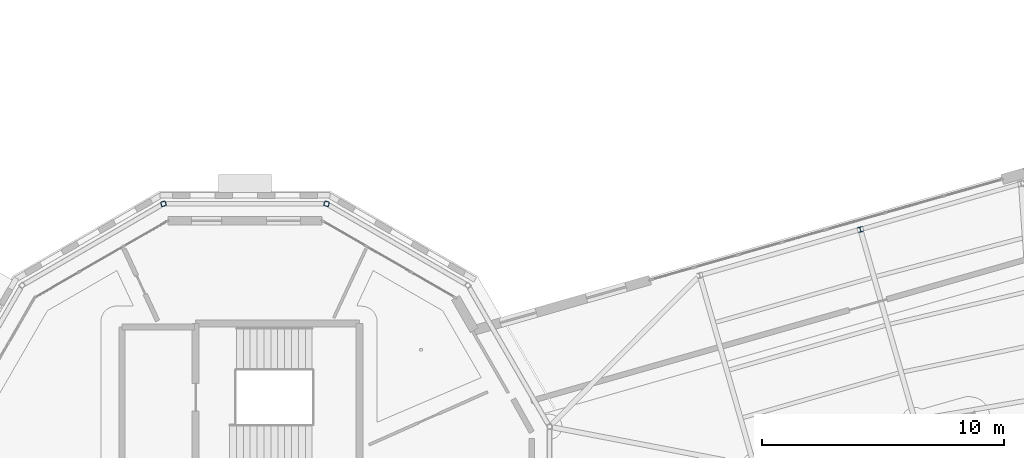
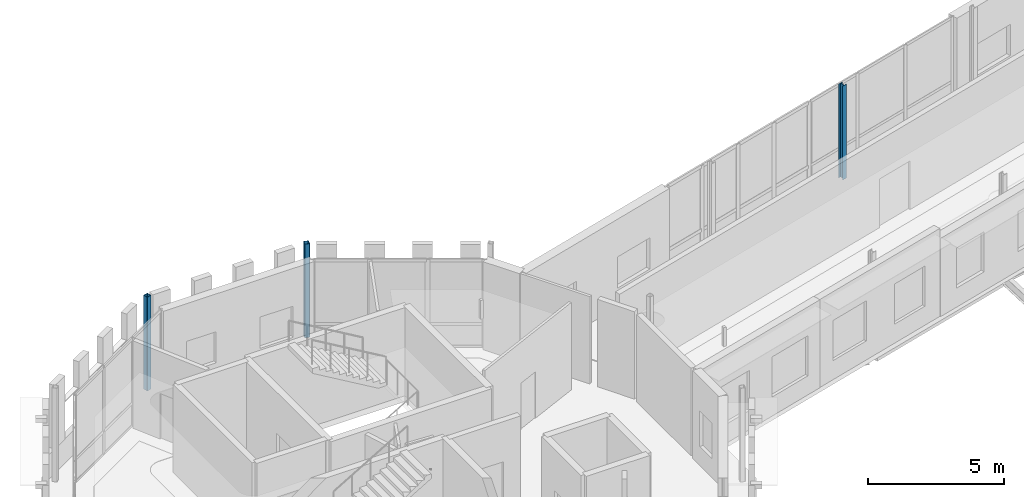
# One storey, part 13 of 125: 3 columns.
"""IFC4 building model written with IfcOpenShell, lengths in metres."""

from ifc_helpers import new_model, si_unit, direction, frame, origin, origin_2d, place, context, subcontext, project, spatial, hollow_rectangle, i_section, extrude, material, material_profile, profile_set, type_object, element, save


model = new_model("IFC4")

# Units and contexts
model_context = context("Model", 3, precision=1e-05, world=origin(), true_north=direction((0.0, 1.0)))
body_context = subcontext(model_context, "Body", "Model", "MODEL_VIEW")
ifc_project = project(units=[si_unit("LENGTHUNIT", "METRE"), si_unit("AREAUNIT", "SQUARE_METRE"), si_unit("VOLUMEUNIT", "CUBIC_METRE"), si_unit("PLANEANGLEUNIT", "RADIAN"), si_unit("MASSUNIT", "GRAM", prefix="KILO")], contexts=[model_context])

# Site, building, storey
site_placement = place(None, origin())
site = spatial("IfcSite", under=ifc_project, at=site_placement, CompositionType="ELEMENT")
building_placement = place(site_placement, origin())
building = spatial("IfcBuilding", under=site, at=building_placement, Name="Wrenclough Park School", CompositionType="ELEMENT")
storey_placement = place(building_placement, frame((0.0, 0.0, 4.199951171875)))
storey = spatial("IfcBuildingStorey", under=building, at=storey_placement, Name="L01", CompositionType="ELEMENT", Elevation=4.199951171875)

# Columns
ifc_material = material(Name="Structural steel S355", Category="steel")
ifc_material_profile_1 = material_profile(ifc_material, hollow_rectangle(XDim=0.199951171875, YDim=0.199951171875, WallThickness=0.012451171875, InnerFilletRadius=0.012451171875, OuterFilletRadius=0.018798828125, at=origin_2d()), Name="SHS 200x200x12.5")
ifc_profile_set_1 = profile_set([ifc_material_profile_1], Name="Structural steel S355")
column_type_1 = type_object("IfcColumnType", Name="STR-COL-SHS200", PredefinedType="COLUMN", material=ifc_profile_set_1)
for number, where, z_axis, x_axis, name in (
    (1, (19.877685546875, 102.105224609375, 0.0), (0.0, 0.0, 1.0), (-0.965925826289, 0.258819045103, 0.0), "D3 L01 column D3-OUT-03"),
    (2, (13.122314453125, 102.105224609375, 0.0), (0.0, 0.0, 1.0), (-0.965925826289, -0.258819045103, 0.0), "D3 L01 column D3-OUT-04"),
):
    element("IfcColumn", number, at=place(storey_placement, frame(where, z_axis=z_axis, x_axis=x_axis)), inside=storey, type_object=column_type_1, Name=name, PredefinedType="COLUMN", context=body_context, shape_type="SweptSolid", body=[
        extrude(hollow_rectangle(XDim=0.199951171875, YDim=0.199951171875, WallThickness=0.012451171875, InnerFilletRadius=0.012451171875, OuterFilletRadius=0.018798828125, at=origin_2d()), origin(), (0.0, 0.0, 1.0), 4.199951171875),
    ])
ifc_material_profile_2 = material_profile(ifc_material, i_section(OverallWidth=0.205810546875, OverallDepth=0.209716796875, WebThickness=0.009521484375, FlangeThickness=0.01416015625, FilletRadius=0.01025390625, at=origin_2d()), Name="UKC 203x203x60")
ifc_profile_set_2 = profile_set([ifc_material_profile_2], Name="Structural steel S355")
column_type_2 = type_object("IfcColumnType", Name="STR-COL-UKC203B", PredefinedType="COLUMN", material=ifc_profile_set_2)
column_placement = place(storey_placement, frame((41.9736328125, 101.042236328125, 0.0), z_axis=(0.0, 0.0, 1.0), x_axis=(0.961501868857, 0.27479839189, 0.0)))
element("IfcColumn", 3, at=column_placement, inside=storey, type_object=column_type_2, Name="W34 L01 column W34-C1-L04", PredefinedType="COLUMN", context=body_context, shape_type="SweptSolid", body=[
    extrude(i_section(OverallWidth=0.205810546875, OverallDepth=0.209716796875, WebThickness=0.009521484375, FlangeThickness=0.01416015625, FilletRadius=0.01025390625, at=origin_2d()), origin(), (0.0, 0.0, 1.0), 4.199951171875),
])

save(model, "model.ifc")
